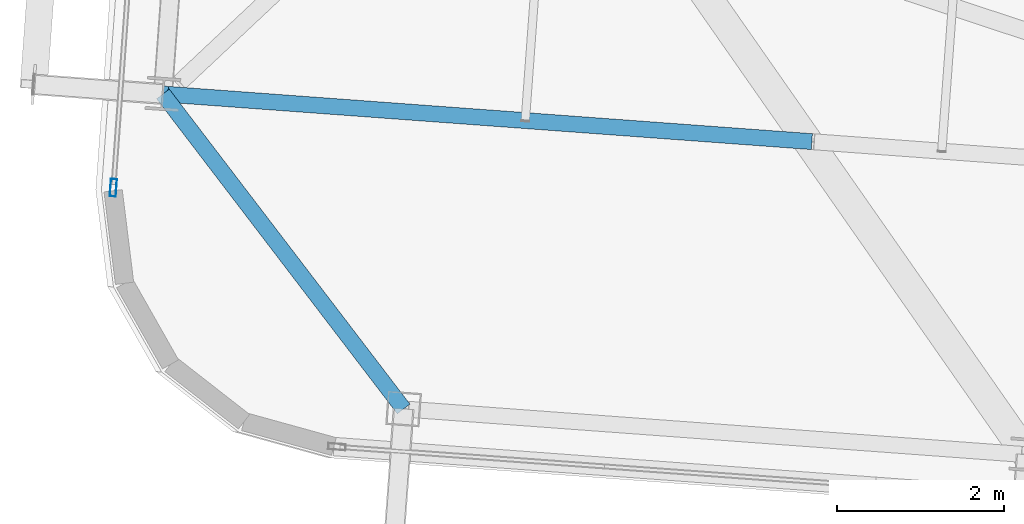
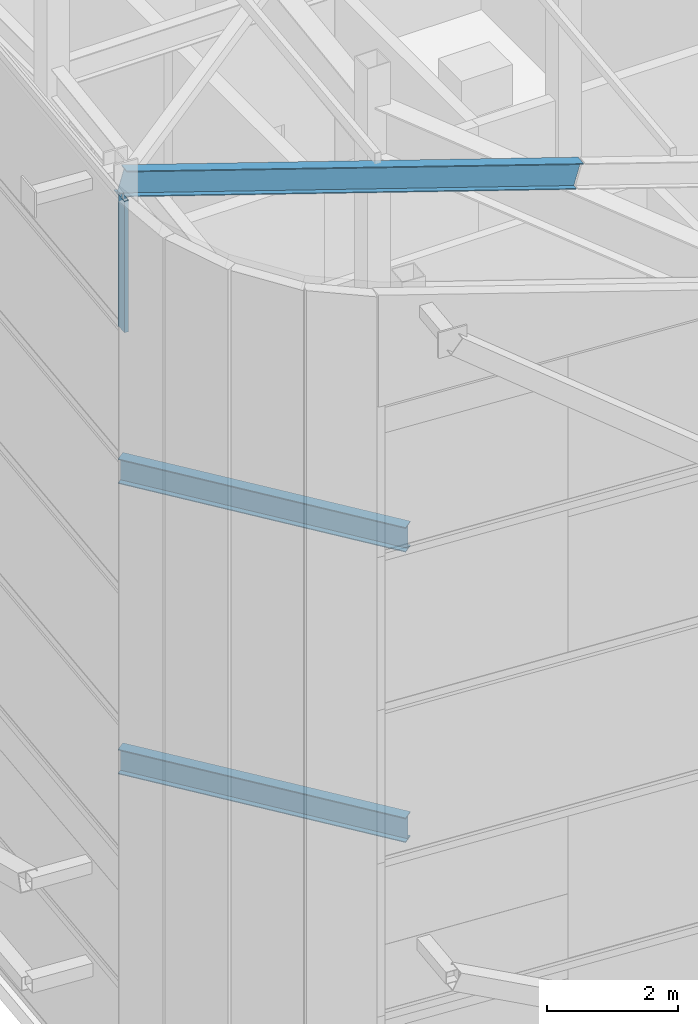
# One storey, part 4 of 56: 2 beams, 2 members, 1 element without a shape of its own.
"""IFC4 building model written with IfcOpenShell, lengths in metres."""

from ifc_helpers import new_model, si_unit, direction, frame, origin, origin_2d, place, context, subcontext, project, spatial, hollow_rectangle, i_section, extrude, source, transform, mapped, material, layer, layer_set, material_profile, profile_set, type_object, element, aggregate, save


model = new_model("IFC4")

# Units and contexts
model_context = context("Model", 3, precision=1e-05, world=origin(), true_north=direction((0.0, 1.0)))
body_context = subcontext(model_context, "Body", "Model", "MODEL_VIEW")
ifc_project = project(units=[si_unit("LENGTHUNIT", "METRE"), si_unit("AREAUNIT", "SQUARE_METRE"), si_unit("VOLUMEUNIT", "CUBIC_METRE"), si_unit("PLANEANGLEUNIT", "RADIAN"), si_unit("MASSUNIT", "GRAM", prefix="KILO")], contexts=[model_context])

# Site, building, storey
site_placement = place(None, origin())
site = spatial("IfcSite", under=ifc_project, at=site_placement, CompositionType="ELEMENT")
building_placement = place(site_placement, origin())
building = spatial("IfcBuilding", under=site, at=building_placement, Name="Taldren Reach Tower", CompositionType="ELEMENT")
storey_placement = place(building_placement, frame((0.0, 0.0, 253.050048828125)))
storey = spatial("IfcBuildingStorey", under=building, at=storey_placement, Name="L77", CompositionType="ELEMENT", Elevation=253.050048828125)

# Member
ifc_material_1 = material(Name="Steel Gr 350 (350PLUS)", Category="steel")
ifc_material_profile_1 = material_profile(ifc_material_1, i_section(OverallWidth=0.19091796875, OverallDepth=0.4599609375, WebThickness=0.010009765625, FlangeThickness=0.01611328125, at=origin_2d()), Name="460UB82.1")
ifc_profile_set_1 = profile_set([ifc_material_profile_1], Name="Steel Gr 350 (350PLUS)")
member_type_1 = type_object("IfcMemberType", Name="MB-RAF460", PredefinedType="RAFTER", material=ifc_profile_set_1)
shared_shape_1 = source(origin(), body_context, "Body", "SweptSolid", [
    extrude(i_section(OverallWidth=0.19091796875, OverallDepth=0.4599609375, WebThickness=0.010009765625, FlangeThickness=0.01611328125, at=origin_2d()), origin(), (0.0, 0.0, 1.0), 8.038330078125),
])
member_1_placement = place(storey_placement, frame((19.96533203125, 9.66552734375, 14.32421875), z_axis=(-0.958700168653, 0.070402882653, 0.275567452247), x_axis=(-0.073238552123, -0.997314451155, 0.0)))
element("IfcMember", 1, at=member_1_placement, inside=storey, type_object=member_type_1, Name="Crown sloped rafter RF-1.7", PredefinedType="RAFTER", context=body_context, shape_type="MappedRepresentation", body=[
    mapped(shared_shape_1, transform((0.0, 0.0, 0.0), scale=1.0)),
])

# Beams
ifc_material_profile_2 = material_profile(ifc_material_1, i_section(OverallWidth=0.19091796875, OverallDepth=0.4599609375, WebThickness=0.010009765625, FlangeThickness=0.01611328125, at=origin_2d()), Name="460UB82.1")
ifc_profile_set_2 = profile_set([ifc_material_profile_2], Name="Steel Gr 350 (350PLUS)")
beam_type = type_object("IfcBeamType", Name="BM-UB460A", PredefinedType="BEAM", material=ifc_profile_set_2)
shared_shape_2 = source(origin(), body_context, "Body", "SweptSolid", [
    extrude(i_section(OverallWidth=0.19091796875, OverallDepth=0.4599609375, WebThickness=0.010009765625, FlangeThickness=0.01611328125, at=origin_2d()), origin(), (0.0, 0.0, 1.0), 4.74609375),
])
for number, where, z_axis, x_axis, name in (
    (2, (12.259033203125, 10.2314453125, 5.800048828125), (0.607144568334, -0.794591387533, 0.0), (0.794591387533, 0.607144568334, 0.0), "Crown perimeter wind girt LO W1-S1"),
    (3, (12.259033203125, 10.2314453125, 11.199951171875), (0.607144568334, -0.794591387533, 0.0), (0.794591387533, 0.607144568334, 0.0), "Crown perimeter wind girt HI W1-S1"),
):
    element("IfcBeam", number, at=place(storey_placement, frame(where, z_axis=z_axis, x_axis=x_axis)), inside=storey, type_object=beam_type, Name=name, PredefinedType="BEAM", context=body_context, shape_type="MappedRepresentation", body=[
        mapped(shared_shape_2, transform((0.0, 0.0, 0.0), scale=1.0)),
    ])

# Curtain wall, member
ifc_material_2 = material(Name="Aluminium and Low-E Glass Unitised System", Category="aluminium")
ifc_layer = layer(ifc_material_2, 0.159912109375)
ifc_layer_set = layer_set([ifc_layer], Name="Aluminium and Low-E Glass Unitised System")
curtain_wall_type = type_object("IfcCurtainWallType", Name="CW-SYS-8", PredefinedType="NOTDEFINED", material=ifc_layer_set)
curtain_wall_placement = place(storey_placement, origin())
curtain_wall = element("IfcCurtainWall", 4, at=curtain_wall_placement, inside=storey, type_object=curtain_wall_type, Name="Unitised curtain wall CW8-L77-W-T7", PredefinedType="NOTDEFINED")
ifc_material_3 = material(Name="Anodised Aluminium 6063-T6", Category="aluminium")
ifc_material_profile_3 = material_profile(ifc_material_3, hollow_rectangle(XDim=0.074951171875, YDim=0.2099609375, WallThickness=0.00439453125, at=origin_2d()), Name="ALU-210x75x4.5RHS")
ifc_profile_set_3 = profile_set([ifc_material_profile_3], Name="Anodised Aluminium 6063-T6")
member_type_2 = type_object("IfcMemberType", Name="CW-MUL-200", PredefinedType="MULLION", material=ifc_profile_set_3)
shared_shape_3 = source(origin(), body_context, "Body", "SweptSolid", [
    extrude(hollow_rectangle(XDim=0.074951171875, YDim=0.2099609375, WallThickness=0.00439453125, at=origin_2d()), origin(), (0.0, 0.0, 1.0), 2.4462890625),
])
member_2_placement = place(storey_placement, frame((11.665283203125, 9.109375, 14.678466796875), z_axis=(0.0, 0.0, 1.0), x_axis=(0.997314470951, -0.073238282558, 0.0)))
member_2 = element("IfcMember", 5, at=member_2_placement, type_object=member_type_2, Name="CW-8 mullion 6", PredefinedType="MULLION", context=body_context, shape_type="MappedRepresentation", body=[
    mapped(shared_shape_3, transform((0.0, 0.0, 0.0), scale=1.0)),
])
aggregate(curtain_wall, [member_2])

save(model, "model.ifc")
